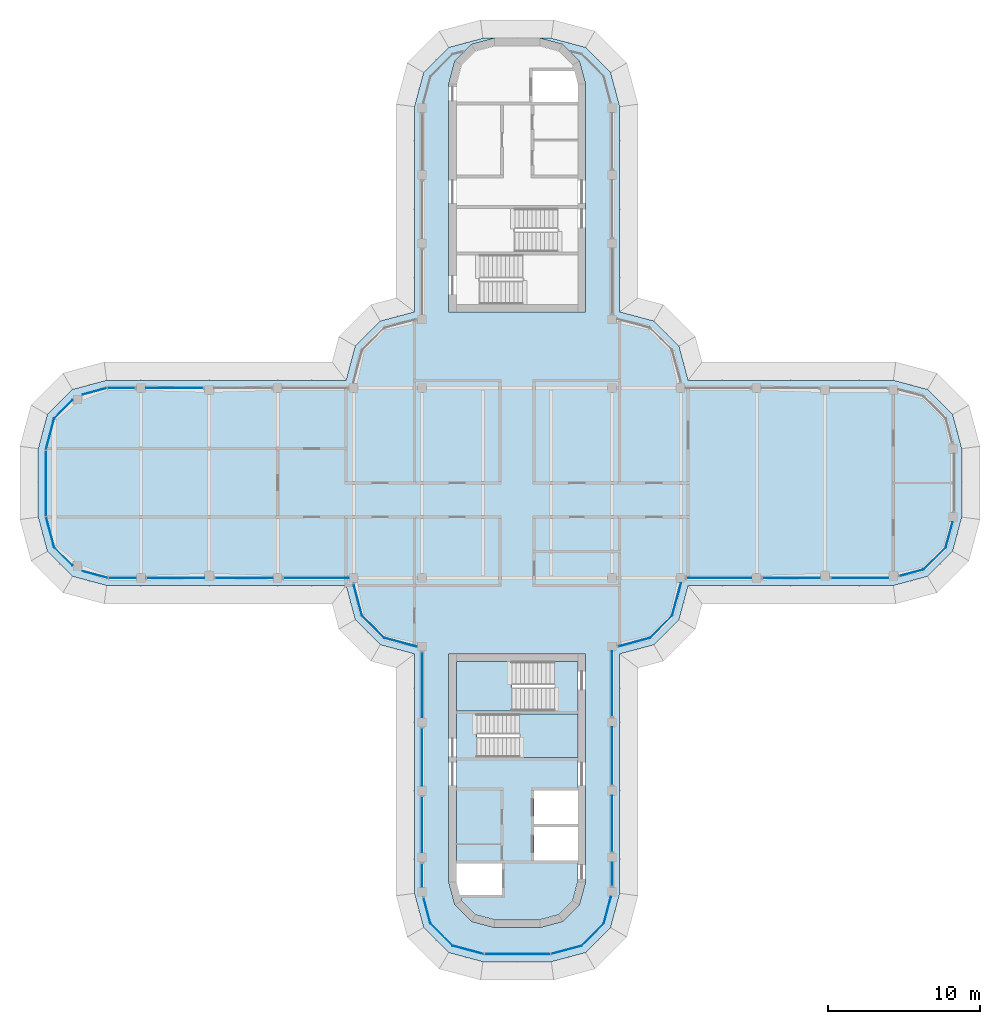
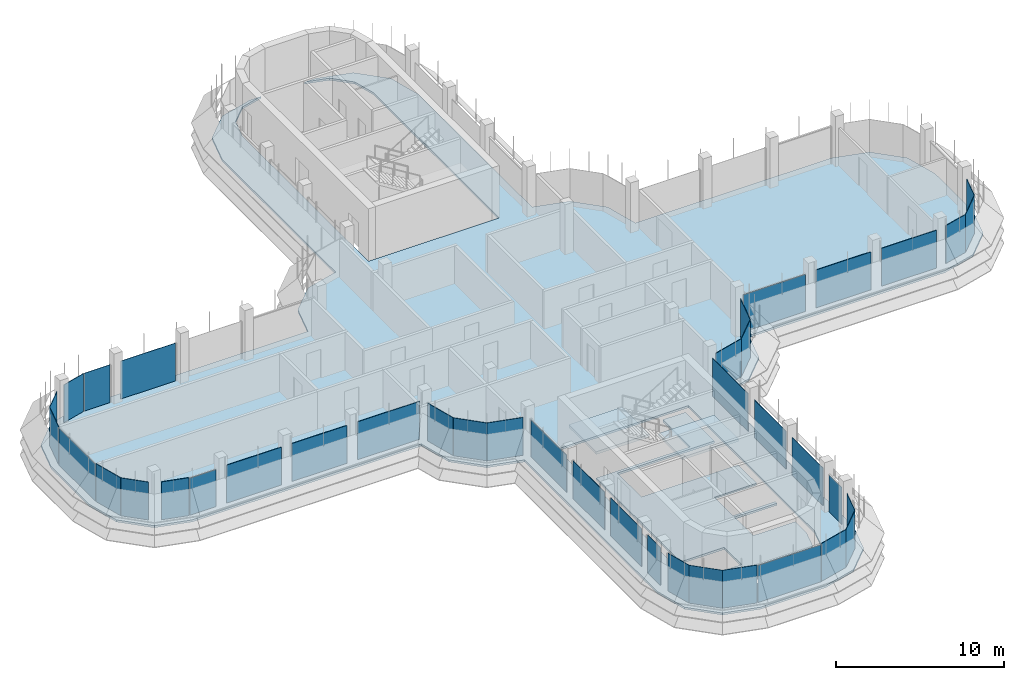
# One storey, part 11 of 19: 40 plates, 4 slabs, 30 elements without a shape of their own.
"""IFC4 building model written with IfcOpenShell, lengths in metres."""

from ifc_helpers import new_model, si_unit, direction, frame, origin, place, context, subcontext, project, spatial, polyline, outline, extrude, source, transform, mapped, material, layer, layer_set, type_object, element, aggregate, save


model = new_model("IFC4")

# Units and contexts
model_context = context("Model", 3, precision=1e-05, world=origin(), true_north=direction((0.0, 1.0)))
body_context = subcontext(model_context, "Body", "Model", "MODEL_VIEW")
ifc_project = project(units=[si_unit("LENGTHUNIT", "METRE"), si_unit("AREAUNIT", "SQUARE_METRE"), si_unit("VOLUMEUNIT", "CUBIC_METRE"), si_unit("PLANEANGLEUNIT", "RADIAN"), si_unit("MASSUNIT", "GRAM", prefix="KILO")], contexts=[model_context])

# Site, building, storey
site_placement = place(None, origin())
site = spatial("IfcSite", under=ifc_project, at=site_placement, CompositionType="ELEMENT")
building_placement = place(site_placement, origin())
building = spatial("IfcBuilding", under=site, at=building_placement, Name="Zarbagh Exchange Tower", CompositionType="ELEMENT")
storey_placement = place(building_placement, frame((0.0, 0.0, 276.39990234375)))
storey = spatial("IfcBuildingStorey", under=building, at=storey_placement, Name="L68", CompositionType="ELEMENT", Elevation=276.39990234375)

# Slabs
ifc_material_1 = material(Name="Concrete C40/50", Category="concrete")
ifc_layer_1 = layer(ifc_material_1, 0.14990234375)
ifc_layer_set_1 = layer_set([ifc_layer_1], Name="Composite floor slab 150 C40/50")
slab_type_1 = type_object("IfcSlabType", Name="Composite floor slab 150 C40/50", PredefinedType="FLOOR", material=ifc_layer_set_1)
slab_1_placement = place(storey_placement, frame((0.0, 0.0, -0.14990234375)))
element("IfcSlab", 1, at=slab_1_placement, inside=storey, type_object=slab_type_1, Name="S5 composite floor slab", PredefinedType="FLOOR", context=body_context, shape_type="SweptSolid", body=[
    extrude(outline(polyline([(-2.25, -31.5), (-4.5, -30.897216796875), (-6.147216796875, -29.25), (-6.75, -27.0), (-6.75, -11.25), (-9.0, -10.647216796875), (-10.647216796875, -9.0), (-11.25, -6.75), (-27.0, -6.75), (-29.25, -6.147216796875), (-30.897216796875, -4.5), (-31.5, -2.25), (-31.5, 2.25), (-30.897216796875, 4.5), (-29.25, 6.147216796875), (-27.0, 6.75), (-11.25, 6.75), (-10.647216796875, 9.0), (-9.0, 10.647216796875), (-6.75, 11.25), (-6.75, 24.75), (-6.147216796875, 27.0), (-4.5, 28.647216796875), (-2.25, 29.25), (-1.5, 29.25), (-3.0, 28.84814453125), (-4.09814453125, 27.75), (-4.5, 26.25), (-4.5, 11.25), (4.5, 11.25), (4.5, 26.25), (4.09814453125, 27.75), (3.0, 28.84814453125), (1.5, 29.25), (2.25, 29.25), (4.5, 28.647216796875), (6.147216796875, 27.0), (6.75, 24.75), (6.75, 11.25), (9.0, 10.647216796875), (10.647216796875, 9.0), (11.25, 6.75), (24.75, 6.75), (27.0, 6.147216796875), (28.647216796875, 4.5), (29.25, 2.25), (29.25, -2.25), (28.647216796875, -4.5), (27.0, -6.147216796875), (24.75, -6.75), (11.25, -6.75), (10.647216796875, -9.0), (9.0, -10.647216796875), (6.75, -11.25), (6.75, -27.0), (6.147216796875, -29.25), (4.5, -30.897216796875), (2.25, -31.5), (-2.25, -31.5)]), holes=[polyline([(-1.5, -29.25), (1.5, -29.25), (3.0, -28.84814453125), (4.09814453125, -27.75), (4.5, -26.25), (4.5, -11.25), (-4.5, -11.25), (-4.5, -26.25), (-4.09814453125, -27.75), (-3.0, -28.84814453125), (-1.5, -29.25)])]), origin(), (0.0, 0.0, 1.0), 0.14990234375),
])
ifc_layer_2 = layer(ifc_material_1, 0.14990234375)
ifc_layer_set_2 = layer_set([ifc_layer_2], Name="Core floor slab 150 C40/50")
slab_type_2 = type_object("IfcSlabType", Name="Core floor slab 150 C40/50", PredefinedType="FLOOR", material=ifc_layer_set_2)
slab_2_placement = place(storey_placement, frame((0.0, 0.0, -0.14990234375)))
element("IfcSlab", 2, at=slab_2_placement, inside=storey, type_object=slab_type_2, Name="S17 core S", PredefinedType="FLOOR", context=body_context, shape_type="SweptSolid", body=[
    extrude(outline(polyline([(-2.7412109375, -28.39990234375), (-3.64990234375, -27.4912109375), (-3.857666015625, -26.715087890625), (-3.754638671875, -27.10009765625), (-1.0, -27.10009765625), (-1.0, -25.050048828125), (-4.0, -25.050048828125), (-4.0, -15.0), (2.449951171875, -15.0), (2.449951171875, -11.75), (4.0, -11.75), (4.0, -15.199951171875), (-2.64990234375, -15.199951171875), (-2.64990234375, -18.050048828125), (4.0, -18.050048828125), (4.0, -20.25), (1.10009765625, -20.25), (1.10009765625, -22.449951171875), (4.0, -22.449951171875), (4.0, -22.64990234375), (1.10009765625, -22.64990234375), (1.10009765625, -24.85009765625), (4.0, -24.85009765625), (4.0, -26.18408203125), (3.64990234375, -27.4912109375), (2.7412109375, -28.39990234375), (1.43408203125, -28.75), (-1.43408203125, -28.75), (-2.7412109375, -28.39990234375)])), origin(), (0.0, 0.0, 1.0), 0.14990234375),
])

# Stair, slab
stair_type = type_object("IfcStairType", Name="Exit stair two-flight half-turn", PredefinedType="HALF_TURN_STAIR", material=ifc_material_1)
stair_1_placement = place(storey_placement, origin())
stair_1 = element("IfcStair", 3, at=stair_1_placement, inside=storey, type_object=stair_type, Name="exit stair ST3", PredefinedType="HALF_TURN_STAIR")
ifc_layer_3 = layer(ifc_material_1, 0.199951171875)
ifc_layer_set_3 = layer_set([ifc_layer_3], Name="Stair landing 200 mm")
slab_type_3 = type_object("IfcSlabType", Name="Stair landing 200 mm", PredefinedType="LANDING", material=ifc_layer_set_3)
slab_3_placement = place(storey_placement, frame((0.0, 0.0, 1.7001953125)))
slab_3 = element("IfcSlab", 4, at=slab_3_placement, type_object=slab_type_3, Name="ST3 landing 1", PredefinedType="LANDING", context=body_context, shape_type="SweptSolid", body=[
    extrude(outline(polyline([(0.14990234375, -18.050048828125), (4.0, -18.050048828125), (4.0, -15.199951171875), (0.14990234375, -15.199951171875), (0.14990234375, -18.050048828125)])), origin(), (0.0, 0.0, 1.0), 0.199951171875),
])
aggregate(stair_1, [slab_3])

stair_2_placement = place(storey_placement, origin())
stair_2 = element("IfcStair", 5, at=stair_2_placement, inside=storey, type_object=stair_type, Name="exit stair ST4", PredefinedType="HALF_TURN_STAIR")
slab_4_placement = place(storey_placement, frame((0.0, 0.0, 1.7001953125)))
slab_4 = element("IfcSlab", 6, at=slab_4_placement, type_object=slab_type_3, Name="ST4 landing 1", PredefinedType="LANDING", context=body_context, shape_type="SweptSolid", body=[
    extrude(outline(polyline([(-0.35009765625, -11.75), (-4.0, -11.75), (-4.0, -15.0), (-0.35009765625, -15.0), (-0.35009765625, -11.75)])), origin(), (0.0, 0.0, 1.0), 0.199951171875),
])
aggregate(stair_2, [slab_4])

# Curtain wall, plate
ifc_material_2 = material(Name="Anodised aluminium frame and glazing", Category="aluminium")
curtain_wall_type = type_object("IfcCurtainWallType", Name="CWB Ribbon glazing, upper zones", PredefinedType="NOTDEFINED", material=ifc_material_2)
curtain_wall_1_placement = place(storey_placement, origin())
curtain_wall_1 = element("IfcCurtainWall", 7, at=curtain_wall_1_placement, inside=storey, type_object=curtain_wall_type, Name="CWB50 curtain wall", PredefinedType="NOTDEFINED")
ifc_material_3 = material(Name="Low-e double glazed unit, 6+12+6 mm")
ifc_layer_4 = layer(ifc_material_3, 0.031982421875)
ifc_layer_set_4 = layer_set([ifc_layer_4], Name="PAB Glazing panel, Low-e double glazed unit, 6+12+6 mm")
plate_type = type_object("IfcPlateType", Name="PAB Glazing panel, Low-e double glazed unit, 6+12+6 mm", PredefinedType="CURTAIN_PANEL", material=ifc_layer_set_4)
shared_shape_1 = source(origin(), body_context, "Body", "SweptSolid", [
    extrude(outline(polyline([(0.0, -0.01611328125), (2.061279296875, -0.01611328125), (2.061279296875, 0.01611328125), (0.0, 0.01611328125), (0.0, -0.01611328125)])), origin(), (0.0, 0.0, 1.0), 2.75),
])
placement = place(storey_placement, origin())
plate_1 = element("IfcPlate", 8, at=placement, type_object=plate_type, Name="CWB50 glazing panel 1.1", PredefinedType="CURTAIN_PANEL", context=body_context, shape_type="MappedRepresentation", body=[
    mapped(shared_shape_1, transform((4.2412109375, -30.44873046875, 0.0), x_axis=(0.707106781187, 0.707106781187, 0.0), y_axis=(-0.707106781187, 0.707106781187, 0.0), z_axis=(0.0, 0.0, 1.0))),
])
aggregate(curtain_wall_1, [plate_1])

curtain_wall_2_placement = place(storey_placement, origin())
curtain_wall_2 = element("IfcCurtainWall", 9, at=curtain_wall_2_placement, inside=storey, type_object=curtain_wall_type, Name="CWB06 curtain wall", PredefinedType="NOTDEFINED")
plate_2 = element("IfcPlate", 10, at=placement, type_object=plate_type, Name="CWB06 glazing panel 1.1", PredefinedType="CURTAIN_PANEL", context=body_context, shape_type="MappedRepresentation", body=[
    mapped(shared_shape_1, transform((8.7412109375, -10.19873046875, 0.0), x_axis=(0.707106781187, 0.707106781187, 0.0), y_axis=(-0.707106781187, 0.707106781187, 0.0), z_axis=(0.0, 0.0, 1.0))),
])
aggregate(curtain_wall_2, [plate_2])

curtain_wall_3_placement = place(storey_placement, origin())
curtain_wall_3 = element("IfcCurtainWall", 11, at=curtain_wall_3_placement, inside=storey, type_object=curtain_wall_type, Name="CWB77 curtain wall", PredefinedType="NOTDEFINED")
plate_3 = element("IfcPlate", 12, at=placement, type_object=plate_type, Name="CWB77 glazing panel 1.1", PredefinedType="CURTAIN_PANEL", context=body_context, shape_type="MappedRepresentation", body=[
    mapped(shared_shape_1, transform((26.7412109375, -5.69873046875, 0.0), x_axis=(0.707106781187, 0.707106781187, 0.0), y_axis=(-0.707106781187, 0.707106781187, 0.0), z_axis=(0.0, 0.0, 1.0))),
])
aggregate(curtain_wall_3, [plate_3])

curtain_wall_4_placement = place(storey_placement, origin())
curtain_wall_4 = element("IfcCurtainWall", 13, at=curtain_wall_4_placement, inside=storey, type_object=curtain_wall_type, Name="CWB42 curtain wall", PredefinedType="NOTDEFINED")
plate_4 = element("IfcPlate", 14, at=placement, type_object=plate_type, Name="CWB42 glazing panel 1.1", PredefinedType="CURTAIN_PANEL", context=body_context, shape_type="MappedRepresentation", body=[
    mapped(shared_shape_1, transform((-10.19873046875, -8.7412109375, 0.0), x_axis=(0.707106781187, -0.707106781187, 0.0), y_axis=(0.707106781187, 0.707106781187, 0.0), z_axis=(0.0, 0.0, 1.0))),
])
aggregate(curtain_wall_4, [plate_4])

curtain_wall_5_placement = place(storey_placement, origin())
curtain_wall_5 = element("IfcCurtainWall", 15, at=curtain_wall_5_placement, inside=storey, type_object=curtain_wall_type, Name="CWB55 curtain wall", PredefinedType="NOTDEFINED")
plate_5 = element("IfcPlate", 16, at=placement, type_object=plate_type, Name="CWB55 glazing panel 1.1", PredefinedType="CURTAIN_PANEL", context=body_context, shape_type="MappedRepresentation", body=[
    mapped(shared_shape_1, transform((-5.69873046875, -28.9912109375, 0.0), x_axis=(0.707106781187, -0.707106781187, 0.0), y_axis=(0.707106781187, 0.707106781187, 0.0), z_axis=(0.0, 0.0, 1.0))),
])
aggregate(curtain_wall_5, [plate_5])

curtain_wall_6_placement = place(storey_placement, origin())
curtain_wall_6 = element("IfcCurtainWall", 17, at=curtain_wall_6_placement, inside=storey, type_object=curtain_wall_type, Name="CWB61 curtain wall", PredefinedType="NOTDEFINED")
shared_shape_2 = source(origin(), body_context, "Body", "SweptSolid", [
    extrude(outline(polyline([(0.0, -0.01611328125), (2.129638671875, -0.01611328125), (2.129638671875, 0.01611328125), (0.0, 0.01611328125), (0.0, -0.01611328125)])), origin(), (0.0, 0.0, 1.0), 2.75),
])
plate_6 = element("IfcPlate", 18, at=placement, type_object=plate_type, Name="CWB61 glazing panel 1.1", PredefinedType="CURTAIN_PANEL", context=body_context, shape_type="MappedRepresentation", body=[
    mapped(shared_shape_2, transform((-30.44873046875, 4.2412109375, 0.0), x_axis=(-0.258824779902, -0.965924289636, 0.0), y_axis=(0.965924289636, -0.258824779902, 0.0), z_axis=(0.0, 0.0, 1.0))),
])
aggregate(curtain_wall_6, [plate_6])

curtain_wall_7_placement = place(storey_placement, origin())
curtain_wall_7 = element("IfcCurtainWall", 19, at=curtain_wall_7_placement, inside=storey, type_object=curtain_wall_type, Name="CWB56 curtain wall", PredefinedType="NOTDEFINED")
plate_7 = element("IfcPlate", 20, at=placement, type_object=plate_type, Name="CWB56 glazing panel 1.1", PredefinedType="CURTAIN_PANEL", context=body_context, shape_type="MappedRepresentation", body=[
    mapped(shared_shape_2, transform((-4.2412109375, -30.44873046875, 0.0), x_axis=(0.965924289636, -0.258824779902, 0.0), y_axis=(0.258824779902, 0.965924289636, 0.0), z_axis=(0.0, 0.0, 1.0))),
])
aggregate(curtain_wall_7, [plate_7])

curtain_wall_8_placement = place(storey_placement, origin())
curtain_wall_8 = element("IfcCurtainWall", 21, at=curtain_wall_8_placement, inside=storey, type_object=curtain_wall_type, Name="CWB65 curtain wall", PredefinedType="NOTDEFINED")
shared_shape_3 = source(origin(), body_context, "Body", "SweptSolid", [
    extrude(outline(polyline([(0.0, -0.01611328125), (1.7841796875, -0.01611328125), (1.7841796875, 0.01611328125), (0.0, 0.01611328125), (0.0, -0.01611328125)])), origin(), (0.0, 0.0, 1.0), 2.68994140625),
])
plate_8 = element("IfcPlate", 22, at=placement, type_object=plate_type, Name="CWB65 glazing panel 1.1", PredefinedType="CURTAIN_PANEL", context=body_context, shape_type="MappedRepresentation", body=[
    mapped(shared_shape_3, transform((-26.874267578125, -6.25, 0.0), x_axis=(1.0, 0.0, 0.0), y_axis=(0.0, 1.0, 0.0), z_axis=(0.0, 0.0, 1.0))),
])

curtain_wall_9_placement = place(storey_placement, origin())
curtain_wall_9 = element("IfcCurtainWall", 23, at=curtain_wall_9_placement, inside=storey, type_object=curtain_wall_type, Name="CWB66 curtain wall", PredefinedType="NOTDEFINED")
shared_shape_4 = source(origin(), body_context, "Body", "SweptSolid", [
    extrude(outline(polyline([(0.0, -0.01611328125), (4.308349609375, -0.01611328125), (4.308349609375, 0.01611328125), (0.0, 0.01611328125), (0.0, -0.01611328125)])), origin(), (0.0, 0.0, 1.0), 2.68994140625),
])
plate_9 = element("IfcPlate", 24, at=placement, type_object=plate_type, Name="CWB66 glazing panel 1.1", PredefinedType="CURTAIN_PANEL", context=body_context, shape_type="MappedRepresentation", body=[
    mapped(shared_shape_4, transform((-31.0, 2.124267578125, 0.0), x_axis=(0.0, -1.0, 0.0), y_axis=(1.0, 0.0, 0.0), z_axis=(0.0, 0.0, 1.0))),
])
aggregate(curtain_wall_9, [plate_9])

curtain_wall_10_placement = place(storey_placement, origin())
curtain_wall_10 = element("IfcCurtainWall", 25, at=curtain_wall_10_placement, inside=storey, type_object=curtain_wall_type, Name="CWB57 curtain wall", PredefinedType="NOTDEFINED")
plate_10 = element("IfcPlate", 26, at=placement, type_object=plate_type, Name="CWB57 glazing panel 1.1", PredefinedType="CURTAIN_PANEL", context=body_context, shape_type="MappedRepresentation", body=[
    mapped(shared_shape_4, transform((-2.124267578125, -31.0, 0.0), x_axis=(1.0, 0.0, 0.0), y_axis=(0.0, 1.0, 0.0), z_axis=(0.0, 0.0, 1.0))),
])
aggregate(curtain_wall_10, [plate_10])

curtain_wall_11_placement = place(storey_placement, origin())
curtain_wall_11 = element("IfcCurtainWall", 27, at=curtain_wall_11_placement, inside=storey, type_object=curtain_wall_type, Name="CWB49 curtain wall", PredefinedType="NOTDEFINED")
shared_shape_5 = source(origin(), body_context, "Body", "SweptSolid", [
    extrude(outline(polyline([(0.0, -0.01611328125), (2.069580078125, -0.01611328125), (2.069580078125, 0.01611328125), (0.0, 0.01611328125), (0.0, -0.01611328125)])), origin(), (0.0, 0.0, 1.0), 2.75),
])
plate_11 = element("IfcPlate", 28, at=placement, type_object=plate_type, Name="CWB49 glazing panel 1.1", PredefinedType="CURTAIN_PANEL", context=body_context, shape_type="MappedRepresentation", body=[
    mapped(shared_shape_5, transform((2.2421875, -30.984375, 0.0), x_axis=(0.965924289636, 0.258824779902, 0.0), y_axis=(-0.258824779902, 0.965924289636, 0.0), z_axis=(0.0, 0.0, 1.0))),
])
aggregate(curtain_wall_11, [plate_11])

curtain_wall_12_placement = place(storey_placement, origin())
curtain_wall_12 = element("IfcCurtainWall", 29, at=curtain_wall_12_placement, inside=storey, type_object=curtain_wall_type, Name="CWB62 curtain wall", PredefinedType="NOTDEFINED")
plate_12 = element("IfcPlate", 30, at=placement, type_object=plate_type, Name="CWB62 glazing panel 1.1", PredefinedType="CURTAIN_PANEL", context=body_context, shape_type="MappedRepresentation", body=[
    mapped(shared_shape_5, transform((-30.984375, -2.2421875, 0.0), x_axis=(0.258824779902, -0.965924289636, 0.0), y_axis=(0.965924289636, 0.258824779902, 0.0), z_axis=(0.0, 0.0, 1.0))),
])
aggregate(curtain_wall_12, [plate_12])

curtain_wall_13_placement = place(storey_placement, origin())
curtain_wall_13 = element("IfcCurtainWall", 31, at=curtain_wall_13_placement, inside=storey, type_object=curtain_wall_type, Name="CWB58 curtain wall", PredefinedType="NOTDEFINED")
shared_shape_6 = source(origin(), body_context, "Body", "SweptSolid", [
    extrude(outline(polyline([(0.0, -0.01611328125), (1.7841796875, -0.01611328125), (1.7841796875, 0.01611328125), (0.0, 0.01611328125), (0.0, -0.01611328125)])), origin(), (0.0, 0.0, 1.0), 2.75),
])
plate_13 = element("IfcPlate", 32, at=placement, type_object=plate_type, Name="CWB58 glazing panel 4.1", PredefinedType="CURTAIN_PANEL", context=body_context, shape_type="MappedRepresentation", body=[
    mapped(shared_shape_6, transform((-25.150146484375, 6.25, 0.0), x_axis=(-1.0, 0.0, 0.0), y_axis=(0.0, -1.0, 0.0), z_axis=(0.0, 0.0, 1.0))),
])

curtain_wall_14_placement = place(storey_placement, origin())
curtain_wall_14 = element("IfcCurtainWall", 33, at=curtain_wall_14_placement, inside=storey, type_object=curtain_wall_type, Name="CWB78 curtain wall", PredefinedType="NOTDEFINED")
shared_shape_7 = source(origin(), body_context, "Body", "SweptSolid", [
    extrude(outline(polyline([(0.0, -0.01611328125), (1.70947265625, -0.01611328125), (1.70947265625, 0.01611328125), (0.0, 0.01611328125), (0.0, -0.01611328125)])), origin(), (0.0, 0.0, 1.0), 2.75),
])
plate_14 = element("IfcPlate", 34, at=placement, type_object=plate_type, Name="CWB78 glazing panel 1.1", PredefinedType="CURTAIN_PANEL", context=body_context, shape_type="MappedRepresentation", body=[
    mapped(shared_shape_7, transform((28.19873046875, -4.2412109375, 0.0), x_axis=(0.258824779902, 0.965924289636, 0.0), y_axis=(-0.965924289636, 0.258824779902, 0.0), z_axis=(0.0, 0.0, 1.0))),
])
aggregate(curtain_wall_14, [plate_14])

curtain_wall_15_placement = place(storey_placement, origin())
curtain_wall_15 = element("IfcCurtainWall", 35, at=curtain_wall_15_placement, inside=storey, type_object=curtain_wall_type, Name="CWB76 curtain wall", PredefinedType="NOTDEFINED")
shared_shape_8 = source(origin(), body_context, "Body", "SweptSolid", [
    extrude(outline(polyline([(0.0, -0.01611328125), (1.6494140625, -0.01611328125), (1.6494140625, 0.01611328125), (0.0, 0.01611328125), (0.0, -0.01611328125)])), origin(), (0.0, 0.0, 1.0), 2.75),
])
plate_15 = element("IfcPlate", 36, at=placement, type_object=plate_type, Name="CWB76 glazing panel 1.1", PredefinedType="CURTAIN_PANEL", context=body_context, shape_type="MappedRepresentation", body=[
    mapped(shared_shape_8, transform((25.14794921875, -6.125732421875, 0.0), x_axis=(0.965924289636, 0.258824779902, 0.0), y_axis=(-0.258824779902, 0.965924289636, 0.0), z_axis=(0.0, 0.0, 1.0))),
])
aggregate(curtain_wall_15, [plate_15])

curtain_wall_16_placement = place(storey_placement, origin())
curtain_wall_16 = element("IfcCurtainWall", 37, at=curtain_wall_16_placement, inside=storey, type_object=curtain_wall_type, Name="CWB52 curtain wall", PredefinedType="NOTDEFINED")
shared_shape_9 = source(origin(), body_context, "Body", "SweptSolid", [
    extrude(outline(polyline([(0.0, -0.01611328125), (3.659912109375, -0.01611328125), (3.659912109375, 0.01611328125), (0.0, 0.01611328125), (0.0, -0.01611328125)])), origin(), (0.0, 0.0, 1.0), 2.75),
])
plate_16 = element("IfcPlate", 38, at=placement, type_object=plate_type, Name="CWB52 glazing panel 2.1", PredefinedType="CURTAIN_PANEL", context=body_context, shape_type="MappedRepresentation", body=[
    mapped(shared_shape_9, transform((6.25, -24.25, 0.0), x_axis=(0.0, 1.0, 0.0), y_axis=(-1.0, 0.0, 0.0), z_axis=(0.0, 0.0, 1.0))),
])

curtain_wall_17_placement = place(storey_placement, origin())
curtain_wall_17 = element("IfcCurtainWall", 39, at=curtain_wall_17_placement, inside=storey, type_object=curtain_wall_type, Name="CWB53 curtain wall", PredefinedType="NOTDEFINED")
plate_17 = element("IfcPlate", 40, at=placement, type_object=plate_type, Name="CWB53 glazing panel 3.1", PredefinedType="CURTAIN_PANEL", context=body_context, shape_type="MappedRepresentation", body=[
    mapped(shared_shape_9, transform((-6.25, -20.650146484375, 0.0), x_axis=(0.0, -1.0, 0.0), y_axis=(1.0, 0.0, 0.0), z_axis=(0.0, 0.0, 1.0))),
])

curtain_wall_18_placement = place(storey_placement, origin())
curtain_wall_18 = element("IfcCurtainWall", 41, at=curtain_wall_18_placement, inside=storey, type_object=curtain_wall_type, Name="CWB51 curtain wall", PredefinedType="NOTDEFINED")
shared_shape_10 = source(origin(), body_context, "Body", "SweptSolid", [
    extrude(outline(polyline([(0.0, -0.01611328125), (1.81298828125, -0.01611328125), (1.81298828125, 0.01611328125), (0.0, 0.01611328125), (0.0, -0.01611328125)])), origin(), (0.0, 0.0, 1.0), 2.75),
])
plate_18 = element("IfcPlate", 42, at=placement, type_object=plate_type, Name="CWB51 glazing panel 1.1", PredefinedType="CURTAIN_PANEL", context=body_context, shape_type="MappedRepresentation", body=[
    mapped(shared_shape_10, transform((5.69873046875, -28.9912109375, 0.0), x_axis=(0.258824779902, 0.965924289636, 0.0), y_axis=(-0.965924289636, 0.258824779902, 0.0), z_axis=(0.0, 0.0, 1.0))),
])
aggregate(curtain_wall_18, [plate_18])

# Plate
shared_shape_11 = source(origin(), body_context, "Body", "SweptSolid", [
    extrude(outline(polyline([(0.0, -0.01611328125), (1.510009765625, -0.01611328125), (1.510009765625, 0.01611328125), (0.0, 0.01611328125), (0.0, -0.01611328125)])), origin(), (0.0, 0.0, 1.0), 2.68994140625),
])
plate_19 = element("IfcPlate", 43, at=placement, type_object=plate_type, Name="CWB52 glazing panel 1.1", PredefinedType="CURTAIN_PANEL", context=body_context, shape_type="MappedRepresentation", body=[
    mapped(shared_shape_11, transform((6.25, -26.5, 0.0), x_axis=(0.0, 1.0, 0.0), y_axis=(-1.0, 0.0, 0.0), z_axis=(0.0, 0.0, 1.0))),
])

shared_shape_12 = source(origin(), body_context, "Body", "SweptSolid", [
    extrude(outline(polyline([(0.0, -0.01611328125), (3.760009765625, -0.01611328125), (3.760009765625, 0.01611328125), (0.0, 0.01611328125), (0.0, -0.01611328125)])), origin(), (0.0, 0.0, 1.0), 2.75),
])
plate_20 = element("IfcPlate", 44, at=placement, type_object=plate_type, Name="CWB52 glazing panel 3.1", PredefinedType="CURTAIN_PANEL", context=body_context, shape_type="MappedRepresentation", body=[
    mapped(shared_shape_12, transform((6.25, -19.849853515625, 0.0), x_axis=(0.0, 1.0, 0.0), y_axis=(-1.0, 0.0, 0.0), z_axis=(0.0, 0.0, 1.0))),
])

# Curtain wall, plates
curtain_wall_19_placement = place(storey_placement, origin())
curtain_wall_19 = element("IfcCurtainWall", 45, at=curtain_wall_19_placement, inside=storey, type_object=curtain_wall_type, Name="CWB75 curtain wall", PredefinedType="NOTDEFINED")
plate_21 = element("IfcPlate", 46, at=placement, type_object=plate_type, Name="CWB75 glazing panel 2.1", PredefinedType="CURTAIN_PANEL", context=body_context, shape_type="MappedRepresentation", body=[
    mapped(shared_shape_12, transform((16.150146484375, -6.25, 0.0), x_axis=(1.0, 0.0, 0.0), y_axis=(0.0, 1.0, 0.0), z_axis=(0.0, 0.0, 1.0))),
])
plate_22 = element("IfcPlate", 47, at=placement, type_object=plate_type, Name="CWB75 glazing panel 3.1", PredefinedType="CURTAIN_PANEL", context=body_context, shape_type="MappedRepresentation", body=[
    mapped(shared_shape_12, transform((20.650146484375, -6.25, 0.0), x_axis=(1.0, 0.0, 0.0), y_axis=(0.0, 1.0, 0.0), z_axis=(0.0, 0.0, 1.0))),
])

# Plate
plate_23 = element("IfcPlate", 48, at=placement, type_object=plate_type, Name="CWB58 glazing panel 3.1", PredefinedType="CURTAIN_PANEL", context=body_context, shape_type="MappedRepresentation", body=[
    mapped(shared_shape_12, transform((-20.650146484375, 6.25, 0.0), x_axis=(-1.0, 0.0, 0.0), y_axis=(0.0, -1.0, 0.0), z_axis=(0.0, 0.0, 1.0))),
])

aggregate(curtain_wall_13, [plate_23, plate_13])

plate_24 = element("IfcPlate", 49, at=placement, type_object=plate_type, Name="CWB65 glazing panel 2.1", PredefinedType="CURTAIN_PANEL", context=body_context, shape_type="MappedRepresentation", body=[
    mapped(shared_shape_12, transform((-24.349853515625, -6.25, 0.0), x_axis=(1.0, 0.0, 0.0), y_axis=(0.0, 1.0, 0.0), z_axis=(0.0, 0.0, 1.0))),
])

plate_25 = element("IfcPlate", 50, at=placement, type_object=plate_type, Name="CWB65 glazing panel 3.1", PredefinedType="CURTAIN_PANEL", context=body_context, shape_type="MappedRepresentation", body=[
    mapped(shared_shape_12, transform((-19.849853515625, -6.25, 0.0), x_axis=(1.0, 0.0, 0.0), y_axis=(0.0, 1.0, 0.0), z_axis=(0.0, 0.0, 1.0))),
])

plate_26 = element("IfcPlate", 51, at=placement, type_object=plate_type, Name="CWB53 glazing panel 2.1", PredefinedType="CURTAIN_PANEL", context=body_context, shape_type="MappedRepresentation", body=[
    mapped(shared_shape_12, transform((-6.25, -16.150146484375, 0.0), x_axis=(0.0, -1.0, 0.0), y_axis=(1.0, 0.0, 0.0), z_axis=(0.0, 0.0, 1.0))),
])

shared_shape_13 = source(origin(), body_context, "Body", "SweptSolid", [
    extrude(outline(polyline([(0.0, -0.01611328125), (4.260009765625, -0.01611328125), (4.260009765625, 0.01611328125), (0.0, 0.01611328125), (0.0, -0.01611328125)])), origin(), (0.0, 0.0, 1.0), 2.75),
])
plate_27 = element("IfcPlate", 52, at=placement, type_object=plate_type, Name="CWB52 glazing panel 4.1", PredefinedType="CURTAIN_PANEL", context=body_context, shape_type="MappedRepresentation", body=[
    mapped(shared_shape_13, transform((6.25, -15.349853515625, 0.0), x_axis=(0.0, 1.0, 0.0), y_axis=(-1.0, 0.0, 0.0), z_axis=(0.0, 0.0, 1.0))),
])

aggregate(curtain_wall_16, [plate_19, plate_16, plate_20, plate_27])

plate_28 = element("IfcPlate", 53, at=placement, type_object=plate_type, Name="CWB65 glazing panel 4.1", PredefinedType="CURTAIN_PANEL", context=body_context, shape_type="MappedRepresentation", body=[
    mapped(shared_shape_13, transform((-15.349853515625, -6.25, 0.0), x_axis=(1.0, 0.0, 0.0), y_axis=(0.0, 1.0, 0.0), z_axis=(0.0, 0.0, 1.0))),
])

aggregate(curtain_wall_8, [plate_8, plate_24, plate_25, plate_28])

# Curtain wall, plate
curtain_wall_20_placement = place(storey_placement, origin())
curtain_wall_20 = element("IfcCurtainWall", 54, at=curtain_wall_20_placement, inside=storey, type_object=curtain_wall_type, Name="CWB05 curtain wall", PredefinedType="NOTDEFINED")
shared_shape_14 = source(origin(), body_context, "Body", "SweptSolid", [
    extrude(outline(polyline([(0.0, -0.01611328125), (2.1669921875, -0.01611328125), (2.1669921875, 0.01611328125), (0.0, 0.01611328125), (0.0, -0.01611328125)])), origin(), (0.0, 0.0, 1.0), 2.75),
])
plate_29 = element("IfcPlate", 55, at=placement, type_object=plate_type, Name="CWB05 glazing panel 1.1", PredefinedType="CURTAIN_PANEL", context=body_context, shape_type="MappedRepresentation", body=[
    mapped(shared_shape_14, transform((6.64794921875, -10.759765625, 0.0), x_axis=(0.965924289636, 0.258824779902, 0.0), y_axis=(-0.258824779902, 0.965924289636, 0.0), z_axis=(0.0, 0.0, 1.0))),
])
aggregate(curtain_wall_20, [plate_29])

curtain_wall_21_placement = place(storey_placement, origin())
curtain_wall_21 = element("IfcCurtainWall", 56, at=curtain_wall_21_placement, inside=storey, type_object=curtain_wall_type, Name="CWB41 curtain wall", PredefinedType="NOTDEFINED")
plate_30 = element("IfcPlate", 57, at=placement, type_object=plate_type, Name="CWB41 glazing panel 1.1", PredefinedType="CURTAIN_PANEL", context=body_context, shape_type="MappedRepresentation", body=[
    mapped(shared_shape_14, transform((-10.759765625, -6.64794921875, 0.0), x_axis=(0.258824779902, -0.965924289636, 0.0), y_axis=(0.965924289636, 0.258824779902, 0.0), z_axis=(0.0, 0.0, 1.0))),
])
aggregate(curtain_wall_21, [plate_30])

curtain_wall_22_placement = place(storey_placement, origin())
curtain_wall_22 = element("IfcCurtainWall", 58, at=curtain_wall_22_placement, inside=storey, type_object=curtain_wall_type, Name="CWB07 curtain wall", PredefinedType="NOTDEFINED")
shared_shape_15 = source(origin(), body_context, "Body", "SweptSolid", [
    extrude(outline(polyline([(0.0, -0.01611328125), (2.22705078125, -0.01611328125), (2.22705078125, 0.01611328125), (0.0, 0.01611328125), (0.0, -0.01611328125)])), origin(), (0.0, 0.0, 1.0), 2.75),
])
plate_31 = element("IfcPlate", 59, at=placement, type_object=plate_type, Name="CWB07 glazing panel 1.1", PredefinedType="CURTAIN_PANEL", context=body_context, shape_type="MappedRepresentation", body=[
    mapped(shared_shape_15, transform((10.19873046875, -8.7412109375, 0.0), x_axis=(0.258824779902, 0.965924289636, 0.0), y_axis=(-0.965924289636, 0.258824779902, 0.0), z_axis=(0.0, 0.0, 1.0))),
])
aggregate(curtain_wall_22, [plate_31])

curtain_wall_23_placement = place(storey_placement, origin())
curtain_wall_23 = element("IfcCurtainWall", 60, at=curtain_wall_23_placement, inside=storey, type_object=curtain_wall_type, Name="CWB43 curtain wall", PredefinedType="NOTDEFINED")
plate_32 = element("IfcPlate", 61, at=placement, type_object=plate_type, Name="CWB43 glazing panel 1.1", PredefinedType="CURTAIN_PANEL", context=body_context, shape_type="MappedRepresentation", body=[
    mapped(shared_shape_15, transform((-8.7412109375, -10.19873046875, 0.0), x_axis=(0.965924289636, -0.258824779902, 0.0), y_axis=(0.258824779902, 0.965924289636, 0.0), z_axis=(0.0, 0.0, 1.0))),
])
aggregate(curtain_wall_23, [plate_32])

# Plate
shared_shape_16 = source(origin(), body_context, "Body", "SweptSolid", [
    extrude(outline(polyline([(0.0, -0.01611328125), (4.260009765625, -0.01611328125), (4.260009765625, 0.01611328125), (0.0, 0.01611328125), (0.0, -0.01611328125)])), origin(), (0.0, 0.0, 1.0), 2.68994140625),
])
plate_33 = element("IfcPlate", 62, at=placement, type_object=plate_type, Name="CWB75 glazing panel 1.1", PredefinedType="CURTAIN_PANEL", context=body_context, shape_type="MappedRepresentation", body=[
    mapped(shared_shape_16, transform((11.150146484375, -6.25, 0.0), x_axis=(1.0, 0.0, 0.0), y_axis=(0.0, 1.0, 0.0), z_axis=(0.0, 0.0, 1.0))),
])

aggregate(curtain_wall_19, [plate_33, plate_21, plate_22])

plate_34 = element("IfcPlate", 63, at=placement, type_object=plate_type, Name="CWB53 glazing panel 1.1", PredefinedType="CURTAIN_PANEL", context=body_context, shape_type="MappedRepresentation", body=[
    mapped(shared_shape_16, transform((-6.25, -11.150146484375, 0.0), x_axis=(0.0, -1.0, 0.0), y_axis=(1.0, 0.0, 0.0), z_axis=(0.0, 0.0, 1.0))),
])

# Curtain wall, plate
curtain_wall_24_placement = place(storey_placement, origin())
curtain_wall_24 = element("IfcCurtainWall", 64, at=curtain_wall_24_placement, inside=storey, type_object=curtain_wall_type, Name="CWB54 curtain wall", PredefinedType="NOTDEFINED")
shared_shape_17 = source(origin(), body_context, "Body", "SweptSolid", [
    extrude(outline(polyline([(0.0, -0.01611328125), (1.7529296875, -0.01611328125), (1.7529296875, 0.01611328125), (0.0, 0.01611328125), (0.0, -0.01611328125)])), origin(), (0.0, 0.0, 1.0), 2.75),
])
plate_35 = element("IfcPlate", 65, at=placement, type_object=plate_type, Name="CWB54 glazing panel 1.1", PredefinedType="CURTAIN_PANEL", context=body_context, shape_type="MappedRepresentation", body=[
    mapped(shared_shape_17, transform((-6.152587890625, -27.2978515625, 0.0), x_axis=(0.258824779902, -0.965924289636, 0.0), y_axis=(0.965924289636, 0.258824779902, 0.0), z_axis=(0.0, 0.0, 1.0))),
])
aggregate(curtain_wall_24, [plate_35])

curtain_wall_25_placement = place(storey_placement, origin())
curtain_wall_25 = element("IfcCurtainWall", 66, at=curtain_wall_25_placement, inside=storey, type_object=curtain_wall_type, Name="CWB59 curtain wall", PredefinedType="NOTDEFINED")
shared_shape_18 = source(origin(), body_context, "Body", "SweptSolid", [
    extrude(outline(polyline([(0.0, -0.01611328125), (1.631591796875, -0.01611328125), (1.631591796875, 0.01611328125), (0.0, 0.01611328125), (0.0, -0.01611328125)])), origin(), (0.0, 0.0, 1.0), 2.75),
])
plate_36 = element("IfcPlate", 67, at=placement, type_object=plate_type, Name="CWB59 glazing panel 1.1", PredefinedType="CURTAIN_PANEL", context=body_context, shape_type="MappedRepresentation", body=[
    mapped(shared_shape_18, transform((-26.9921875, 6.234375, 0.0), x_axis=(-0.965924289636, -0.258824779902, 0.0), y_axis=(0.258824779902, -0.965924289636, 0.0), z_axis=(0.0, 0.0, 1.0))),
])
aggregate(curtain_wall_25, [plate_36])

curtain_wall_26_placement = place(storey_placement, origin())
curtain_wall_26 = element("IfcCurtainWall", 68, at=curtain_wall_26_placement, inside=storey, type_object=curtain_wall_type, Name="CWB60 curtain wall", PredefinedType="NOTDEFINED")
shared_shape_19 = source(origin(), body_context, "Body", "SweptSolid", [
    extrude(outline(polyline([(0.0, -0.01611328125), (1.6982421875, -0.01611328125), (1.6982421875, 0.01611328125), (0.0, 0.01611328125), (0.0, -0.01611328125)])), origin(), (0.0, 0.0, 1.0), 2.75),
])
plate_37 = element("IfcPlate", 69, at=placement, type_object=plate_type, Name="CWB60 glazing panel 1.1", PredefinedType="CURTAIN_PANEL", context=body_context, shape_type="MappedRepresentation", body=[
    mapped(shared_shape_19, transform((-29.248046875, 5.44189453125, 0.0), x_axis=(-0.707106781187, -0.707106781187, 0.0), y_axis=(0.707106781187, -0.707106781187, 0.0), z_axis=(0.0, 0.0, 1.0))),
])
aggregate(curtain_wall_26, [plate_37])

curtain_wall_27_placement = place(storey_placement, origin())
curtain_wall_27 = element("IfcCurtainWall", 70, at=curtain_wall_27_placement, inside=storey, type_object=curtain_wall_type, Name="CWB63 curtain wall", PredefinedType="NOTDEFINED")
plate_38 = element("IfcPlate", 71, at=placement, type_object=plate_type, Name="CWB63 glazing panel 1.1", PredefinedType="CURTAIN_PANEL", context=body_context, shape_type="MappedRepresentation", body=[
    mapped(shared_shape_19, transform((-30.44873046875, -4.2412109375, 0.0), x_axis=(0.707106781187, -0.707106781187, 0.0), y_axis=(0.707106781187, 0.707106781187, 0.0), z_axis=(0.0, 0.0, 1.0))),
])
aggregate(curtain_wall_27, [plate_38])

curtain_wall_28_placement = place(storey_placement, origin())
curtain_wall_28 = element("IfcCurtainWall", 72, at=curtain_wall_28_placement, inside=storey, type_object=curtain_wall_type, Name="CWB64 curtain wall", PredefinedType="NOTDEFINED")
shared_shape_20 = source(origin(), body_context, "Body", "SweptSolid", [
    extrude(outline(polyline([(0.0, -0.01611328125), (1.69140625, -0.01611328125), (1.69140625, 0.01611328125), (0.0, 0.01611328125), (0.0, -0.01611328125)])), origin(), (0.0, 0.0, 1.0), 2.75),
])
plate_39 = element("IfcPlate", 73, at=placement, type_object=plate_type, Name="CWB64 glazing panel 1.1", PredefinedType="CURTAIN_PANEL", context=body_context, shape_type="MappedRepresentation", body=[
    mapped(shared_shape_20, transform((-28.568115234375, -5.812255859375, 0.0), x_axis=(0.965924289636, -0.258824779902, 0.0), y_axis=(0.258824779902, 0.965924289636, 0.0), z_axis=(0.0, 0.0, 1.0))),
])
aggregate(curtain_wall_28, [plate_39])

# Plate
shared_shape_21 = source(origin(), body_context, "Body", "SweptSolid", [
    extrude(outline(polyline([(0.0, -0.01611328125), (1.510009765625, -0.01611328125), (1.510009765625, 0.01611328125), (0.0, 0.01611328125), (0.0, -0.01611328125)])), origin(), (0.0, 0.0, 1.0), 2.75),
])
plate_40 = element("IfcPlate", 74, at=placement, type_object=plate_type, Name="CWB53 glazing panel 4.1", PredefinedType="CURTAIN_PANEL", context=body_context, shape_type="MappedRepresentation", body=[
    mapped(shared_shape_21, transform((-6.25, -25.050048828125, 0.0), x_axis=(0.0, -1.0, 0.0), y_axis=(1.0, 0.0, 0.0), z_axis=(0.0, 0.0, 1.0))),
])

aggregate(curtain_wall_17, [plate_34, plate_26, plate_17, plate_40])

save(model, "model.ifc")
